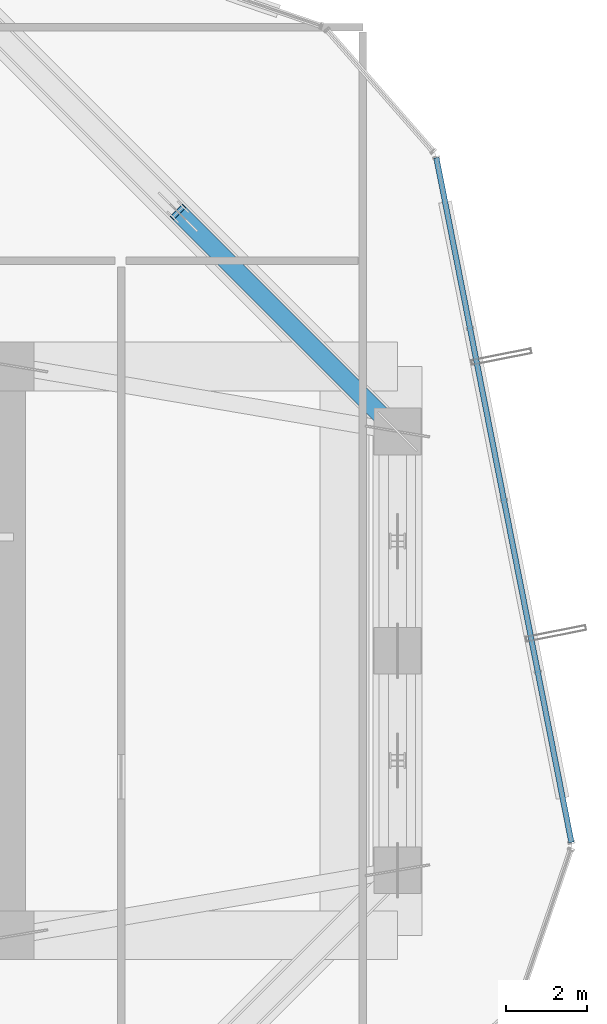
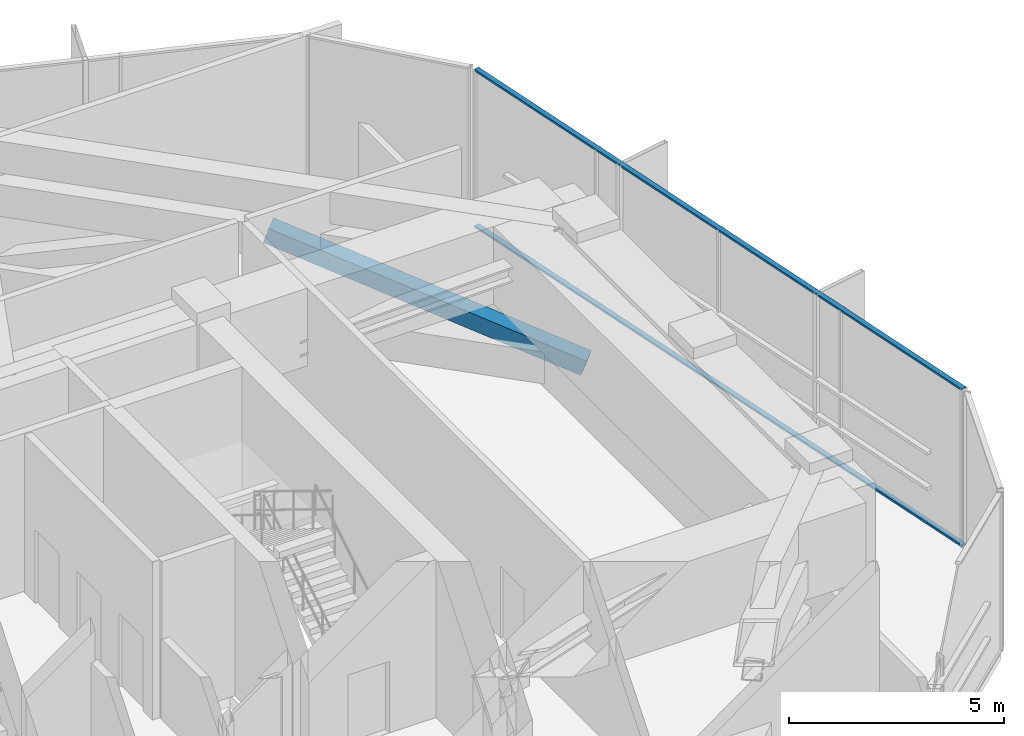
# One storey, part 20 of 36: 3 members, 1 element without a shape of its own.
"""IFC4 building model written with IfcOpenShell, lengths in metres."""

import ifcopenshell
import ifcopenshell.guid

model = None  # the IFC model being written
_history = None  # IfcOwnerHistory: only IFC2X3 demands one
_inside = {}  # id of a spatial element -> (the spatial element, [elements in it])
_under = {}  # id of a project, library or spatial element -> (it, [spatial elements below it])
_declared = {}  # id of a project -> (the project, [libraries it declares])
_typed = {}  # id of a type object -> (the type object, [elements of that type])
_made_of = {}  # id of a material, layer set ... -> (it, [elements and type objects made of it])


def new_model(schema):
    """Start an empty IFC model of exactly this schema.

    Asked for "IFC4X3", IfcOpenShell would pick the latest addendum, in which some entities
    have other attributes; the version numbers below select the first issue.
    IFC2X3 requires an IfcOwnerHistory on every rooted entity: one is made here for all.
    """
    global model, _history
    if schema == "IFC4X3":
        model = ifcopenshell.file(schema_version=(4, 3, 0, 0))
    else:
        model = ifcopenshell.file(schema=schema)
    _inside.clear()
    _under.clear()
    _declared.clear()
    _typed.clear()
    _made_of.clear()
    _history = None
    if model.schema == "IFC2X3":
        org = make("IfcOrganization", Name="unknown")
        user = make(
            "IfcPersonAndOrganization",
            ThePerson=make("IfcPerson", FamilyName="unknown"),
            TheOrganization=org,
        )
        app = make(
            "IfcApplication",
            ApplicationDeveloper=org,
            Version="unknown",
            ApplicationFullName="unknown",
            ApplicationIdentifier="unknown",
        )
        _history = make(
            "IfcOwnerHistory",
            OwningUser=user,
            OwningApplication=app,
            ChangeAction="ADDED",
            CreationDate=0,
        )
    return model


def make(cls, **values):
    """One entity of the class cls with the attributes given. An attribute that is None is left unset."""
    return model.create_entity(
        cls, **{name: value for name, value in values.items() if value is not None}
    )


def rooted(cls, **values):
    """An entity with a GlobalId (a new one), such as an element, a storey or a relation."""
    return make(cls, GlobalId=ifcopenshell.guid.new(), OwnerHistory=_history, **values)


def si_unit(unit_type, name, prefix=None):
    """IfcSIUnit, for example si_unit("LENGTHUNIT", "METRE", prefix="MILLI")."""
    return make("IfcSIUnit", UnitType=unit_type, Prefix=prefix, Name=name)


def assignment(units):
    """IfcUnitAssignment: the units of a project."""
    return None if units is None else make("IfcUnitAssignment", Units=units)


def point(xyz):
    """IfcCartesianPoint."""
    return None if xyz is None else make("IfcCartesianPoint", Coordinates=xyz)


def direction(xyz):
    """IfcDirection."""
    return None if xyz is None else make("IfcDirection", DirectionRatios=xyz)


def frame(location, z_axis=None, x_axis=None):
    """IfcAxis2Placement3D, a coordinate frame: its origin and axes. An axis left out is left unset."""
    return make(
        "IfcAxis2Placement3D",
        Location=point(location),
        Axis=direction(z_axis),
        RefDirection=direction(x_axis),
    )


def frame_2d(location, x_axis=None):
    """IfcAxis2Placement2D, a coordinate frame in the plane: its origin and x axis."""
    return make(
        "IfcAxis2Placement2D", Location=point(location), RefDirection=direction(x_axis)
    )


def origin():
    """The frame at (0, 0, 0) with its axes left unset."""
    return frame((0.0, 0.0, 0.0))


def origin_2d():
    """The frame at (0, 0) in the plane with its x axis left unset."""
    return frame_2d((0.0, 0.0))


def place(relative_to, where):
    """IfcLocalPlacement: puts the frame where relative to a parent placement (None: the world)."""
    return make(
        "IfcLocalPlacement", PlacementRelTo=relative_to, RelativePlacement=where
    )


def context(
    kind, dimensions, precision=None, world=None, true_north=None, identifier=None
):
    """IfcGeometricRepresentationContext, for example the 3D "Model" context."""
    return make(
        "IfcGeometricRepresentationContext",
        ContextIdentifier=identifier,
        ContextType=kind,
        CoordinateSpaceDimension=dimensions,
        Precision=precision,
        WorldCoordinateSystem=world,
        TrueNorth=true_north,
    )


def subcontext(parent, identifier, kind, view, scale=None):
    """IfcGeometricRepresentationSubContext, for example "Body" below "Model"."""
    return make(
        "IfcGeometricRepresentationSubContext",
        ContextIdentifier=identifier,
        ContextType=kind,
        ParentContext=parent,
        TargetScale=scale,
        TargetView=view,
    )


def project(units=None, contexts=None):
    """IfcProject with its units and contexts."""
    return rooted(
        "IfcProject",
        Name="project",
        RepresentationContexts=contexts,
        UnitsInContext=assignment(units),
    )


def spatial(cls, under=None, at=None, **own):
    """A site, building, storey or space (cls), placed at a placement, below another one or the project."""
    s = rooted(cls, ObjectPlacement=at, **own)
    if under is not None:
        _under.setdefault(under.id(), (under, []))[1].append(s)
    return s


def profile(cls, at=None, kind="AREA", **sizes):
    """A parametric profile (cls). Its sizes go by their IFC names, for example OverallWidth=200.0."""
    return make(cls, ProfileType=kind, Position=at, **sizes)


def hollow_rectangle(**sizes):
    """IfcRectangleHollowProfileDef."""
    return profile("IfcRectangleHollowProfileDef", **sizes)


def extrude(swept, where, along, depth):
    """IfcExtrudedAreaSolid: the profile swept, set in the frame where, extruded along a direction by depth."""
    return make(
        "IfcExtrudedAreaSolid",
        SweptArea=swept,
        Position=where,
        ExtrudedDirection=direction(along),
        Depth=depth,
    )


def shape(context_of_items, identifier, shape_type, items):
    """IfcShapeRepresentation: the items that make up one representation, for example the "Body"."""
    return make(
        "IfcShapeRepresentation",
        ContextOfItems=context_of_items,
        RepresentationIdentifier=identifier,
        RepresentationType=shape_type,
        Items=items,
    )


def source(mapping_origin, context_of_items, identifier, shape_type, items):
    """IfcRepresentationMap: a shape defined once, which mapped items show again and again."""
    return make(
        "IfcRepresentationMap",
        MappingOrigin=mapping_origin,
        MappedRepresentation=shape(context_of_items, identifier, shape_type, items),
    )


def transform(
    local_origin,
    x_axis=None,
    y_axis=None,
    z_axis=None,
    scale=None,
    scale2=None,
    scale3=None,
    uniform=True,
):
    """IfcCartesianTransformationOperator3D, or its non-uniform kind. x_axis, y_axis, z_axis: its Axis1, 2, 3."""
    if uniform:
        return make(
            "IfcCartesianTransformationOperator3D",
            Axis1=direction(x_axis),
            Axis2=direction(y_axis),
            LocalOrigin=point(local_origin),
            Scale=scale,
            Axis3=direction(z_axis),
        )
    return make(
        "IfcCartesianTransformationOperator3DnonUniform",
        Axis1=direction(x_axis),
        Axis2=direction(y_axis),
        LocalOrigin=point(local_origin),
        Scale=scale,
        Axis3=direction(z_axis),
        Scale2=scale2,
        Scale3=scale3,
    )


def mapped(mapping_source, mapping_target):
    """IfcMappedItem: shows the shape of a source again, moved by a transform."""
    return make(
        "IfcMappedItem", MappingSource=mapping_source, MappingTarget=mapping_target
    )


def material(Name=None, Category=None):
    """IfcMaterial."""
    return make("IfcMaterial", Name=Name, Category=Category)


def layer(
    of_material, thickness, ventilated=None, Name=None, Category=None, Priority=None
):
    """IfcMaterialLayer: one layer of a wall or slab, of a material (None: an air gap)."""
    return make(
        "IfcMaterialLayer",
        Material=of_material,
        LayerThickness=thickness,
        IsVentilated=ventilated,
        Name=Name,
        Category=Category,
        Priority=Priority,
    )


def layer_set(layers, Name=None):
    """IfcMaterialLayerSet."""
    return make("IfcMaterialLayerSet", MaterialLayers=layers, LayerSetName=Name)


def material_profile(
    of_material, cross_section, Name=None, Category=None, Priority=None
):
    """IfcMaterialProfile: a cross section and its material."""
    return make(
        "IfcMaterialProfile",
        Name=Name,
        Material=of_material,
        Profile=cross_section,
        Priority=Priority,
        Category=Category,
    )


def profile_set(profiles, Name=None, composite=None):
    """IfcMaterialProfileSet."""
    return make(
        "IfcMaterialProfileSet",
        Name=Name,
        MaterialProfiles=profiles,
        CompositeProfile=composite,
    )


def made_of(thing, what):
    """Note that an element or type object is made of a material, layer set ...; save() writes the relation."""
    if what is not None:
        _made_of.setdefault(what.id(), (what, []))[1].append(thing)
    return thing


def type_object(cls, material=None, **own):
    """A type object (cls), such as IfcWallType, which elements share."""
    return made_of(rooted(cls, **own), material)


def element(
    cls,
    number,
    at=None,
    inside=None,
    cuts=None,
    type_object=None,
    material=None,
    context=None,
    identifier="Body",
    shape_type=None,
    held_by="IfcProductDefinitionShape",
    body=None,
    shapes=None,
    **own,
):
    """One element of the class cls, such as IfcWall. Its Tag is "e" and its number.

    at: its placement. inside: the storey or other place that contains it. cuts: it is an
    opening in that element (IfcRelVoidsElement). A single representation is given by context,
    identifier, shape_type and body (its items); several are given by shapes. held_by: the class
    of the entity that holds the representations. save() writes the other relations.
    """
    e = rooted(cls, Tag="e%d" % number, ObjectPlacement=at, **own)
    if body is not None:
        shapes = [shape(context, identifier, shape_type, body)]
    if shapes is not None:
        e.Representation = make(held_by, Representations=shapes)
    if inside is not None:
        _inside.setdefault(inside.id(), (inside, []))[1].append(e)
    if cuts is not None:
        rooted(
            "IfcRelVoidsElement", RelatingBuildingElement=cuts, RelatedOpeningElement=e
        )
    if type_object is not None:
        _typed.setdefault(type_object.id(), (type_object, []))[1].append(e)
    return made_of(e, material)


def aggregate(whole, parts):
    """IfcRelAggregates: a whole, such as a stair, and the parts it consists of."""
    return rooted("IfcRelAggregates", RelatingObject=whole, RelatedObjects=parts)


def save(model, path):
    """Write the relations noted so far, then the file.

    IfcRelAggregates (storeys below a building ...), IfcRelContainedInSpatialStructure (elements
    in a storey), IfcRelDefinesByType, IfcRelAssociatesMaterial and IfcRelDeclares: one each for
    every whole, place, type object, material and project.
    """
    for whole, parts in _under.values():
        aggregate(whole, parts)
    for where, things in _inside.values():
        rooted(
            "IfcRelContainedInSpatialStructure",
            RelatedElements=things,
            RelatingStructure=where,
        )
    for kind, things in _typed.values():
        rooted("IfcRelDefinesByType", RelatedObjects=things, RelatingType=kind)
    for what, things in _made_of.values():
        rooted("IfcRelAssociatesMaterial", RelatedObjects=things, RelatingMaterial=what)
    for by, libraries in _declared.values():
        rooted("IfcRelDeclares", RelatingContext=by, RelatedDefinitions=libraries)
    model.write(path)


model = new_model("IFC4")

# Units and contexts
model_context = context("Model", 3, precision=1e-05, world=origin(), true_north=direction((0.0, 1.0)))
body_context = subcontext(model_context, "Body", "Model", "MODEL_VIEW")
ifc_project = project(units=[si_unit("LENGTHUNIT", "METRE"), si_unit("AREAUNIT", "SQUARE_METRE"), si_unit("VOLUMEUNIT", "CUBIC_METRE"), si_unit("PLANEANGLEUNIT", "RADIAN"), si_unit("MASSUNIT", "GRAM", prefix="KILO")], contexts=[model_context])

# Site, building, storey
site_placement = place(None, origin())
site = spatial("IfcSite", under=ifc_project, at=site_placement, CompositionType="ELEMENT")
building_placement = place(site_placement, origin())
building = spatial("IfcBuilding", under=site, at=building_placement, Name="Veraguas Prism Commons", CompositionType="ELEMENT")
storey_placement = place(building_placement, frame((0.0, 0.0, 169.550048828125)))
storey = spatial("IfcBuildingStorey", under=building, at=storey_placement, Name="L48", CompositionType="ELEMENT", Elevation=169.550048828125)

# Member
ifc_material_1 = material(Name="Steel ASTM A500 Grade C", Category="steel")
ifc_material_profile_1 = material_profile(ifc_material_1, hollow_rectangle(XDim=0.449951171875, YDim=0.449951171875, WallThickness=0.02197265625, at=origin_2d()), Name="HSS450X450X22")
ifc_profile_set_1 = profile_set([ifc_material_profile_1], Name="Steel ASTM A500 Grade C")
member_type_1 = type_object("IfcMemberType", Name="Mid Belt Diagonal HSS 450x450x22", PredefinedType="BRACE", material=ifc_profile_set_1)
member_1_placement = place(storey_placement, frame((40.199951171875, 29.39990234375, 0.550048828125), z_axis=(-0.675070232643, 0.675100753948, 0.297521684954), x_axis=(-0.707122765516, -0.707090796496, 0.0)))
element("IfcMember", 1, at=member_1_placement, inside=storey, type_object=member_type_1, Name="Perimeter Belt Truss Brace L48-03A", PredefinedType="BRACE", context=body_context, shape_type="SweptSolid", body=[
    extrude(hollow_rectangle(XDim=0.449951171875, YDim=0.449951171875, WallThickness=0.02197265625, at=origin_2d()), origin(), (0.0, 0.0, 1.0), 7.9990234375),
])

# Curtain wall, members
ifc_material_2 = material(Name="Anodised aluminium EN AW-6063 T6", Category="aluminium")
ifc_layer = layer(ifc_material_2, 0.169921875, Name="Unitised Flush Curtain Wall Zone 2", Category="aluminium")
ifc_layer_set = layer_set([ifc_layer], Name="Anodised aluminium EN AW-6063 T6")
curtain_wall_type = type_object("IfcCurtainWallType", Name="Unitised Flush Curtain Wall Zone 2", PredefinedType="NOTDEFINED", material=ifc_layer_set)
curtain_wall_placement = place(storey_placement, origin())
curtain_wall = element("IfcCurtainWall", 2, at=curtain_wall_placement, inside=storey, type_object=curtain_wall_type, Name="Tower Facade Curtain Wall L48-F6", PredefinedType="NOTDEFINED")
ifc_material_profile_2 = material_profile(ifc_material_2, hollow_rectangle(XDim=0.054931640625, YDim=0.135009765625, WallThickness=0.0029296875, at=origin_2d()), Name="AL55X135X3")
ifc_profile_set_2 = profile_set([ifc_material_profile_2], Name="Anodised aluminium EN AW-6063 T6")
member_type_2 = type_object("IfcMemberType", Name="Curtain Wall Transom Standard AL 55x135x3", PredefinedType="USERDEFINED", material=ifc_profile_set_2)
shared_shape = source(origin(), body_context, "Body", "SweptSolid", [
    extrude(hollow_rectangle(XDim=0.054931640625, YDim=0.135009765625, WallThickness=0.0029296875, at=origin_2d()), origin(), (0.0, 0.0, 1.0), 17.17431640625),
])
member_2_placement = place(storey_placement, frame((44.481689453125, 19.287841796875, 0.02734375), z_axis=(-0.193543015058, 0.981091790467, 0.0), x_axis=(0.0, 0.0, 1.0)))
member_2 = element("IfcMember", 3, at=member_2_placement, type_object=member_type_2, Name="CW-Z2 Transom 1", ObjectType="TRANSOM", PredefinedType="USERDEFINED", context=body_context, shape_type="MappedRepresentation", body=[
    mapped(shared_shape, transform((0.0, 0.0, 0.0), scale=1.0)),
])
member_3_placement = place(storey_placement, frame((44.481689453125, 19.287841796875, 4.452392578125), z_axis=(-0.193543015058, 0.981091790467, 0.0), x_axis=(0.0, 0.0, 1.0)))
member_3 = element("IfcMember", 4, at=member_3_placement, type_object=member_type_2, Name="CW-Z2 Transom 2", ObjectType="TRANSOM", PredefinedType="USERDEFINED", context=body_context, shape_type="MappedRepresentation", body=[
    mapped(shared_shape, transform((0.0, 0.0, 0.0), scale=1.0)),
])
aggregate(curtain_wall, [member_2, member_3])

save(model, "model.ifc")
